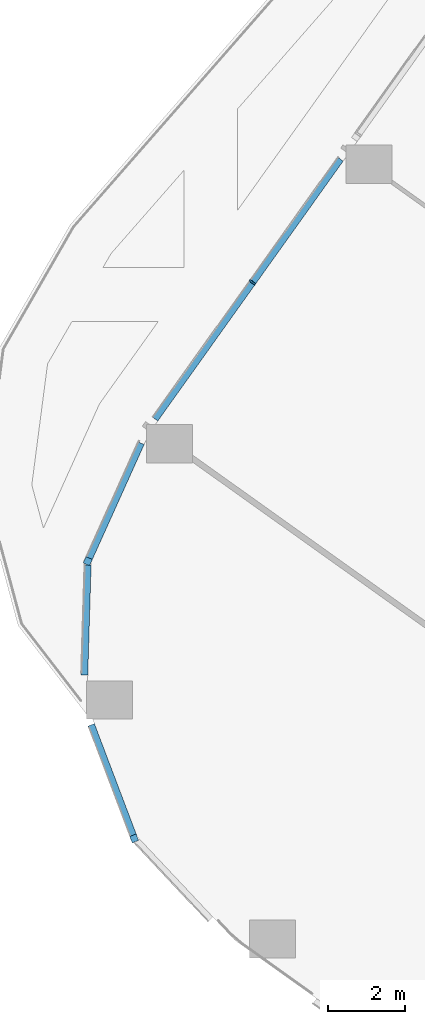
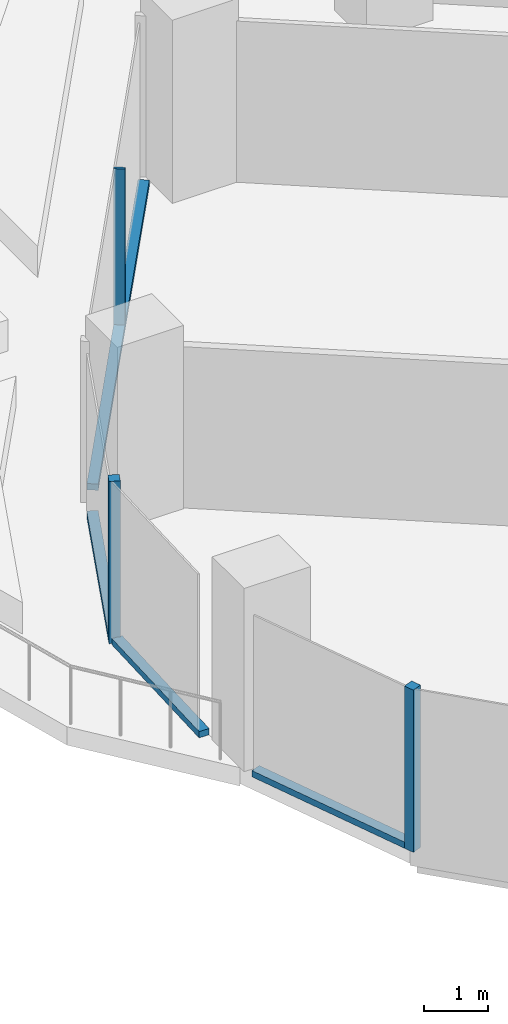
# One storey, part 3 of 30: 7 members, 4 elements without a shape of their own.
"""IFC4 building model written with IfcOpenShell, lengths in metres."""

from ifc_helpers import new_model, si_unit, direction, frame, origin, origin_2d, place, context, subcontext, project, spatial, rectangle, extrude, material, material_profile, profile_set, type_object, element, aggregate, save


model = new_model("IFC4")

# Units and contexts
model_context = context("Model", 3, precision=1e-05, world=origin(), true_north=direction((0.0, 1.0)))
body_context = subcontext(model_context, "Body", "Model", "MODEL_VIEW")
ifc_project = project(units=[si_unit("LENGTHUNIT", "METRE"), si_unit("AREAUNIT", "SQUARE_METRE"), si_unit("VOLUMEUNIT", "CUBIC_METRE"), si_unit("PLANEANGLEUNIT", "RADIAN"), si_unit("MASSUNIT", "GRAM", prefix="KILO")], contexts=[model_context])

# Site, building, storey
site_placement = place(None, origin())
site = spatial("IfcSite", under=ifc_project, at=site_placement, CompositionType="ELEMENT")
building_placement = place(site_placement, origin())
building = spatial("IfcBuilding", under=site, at=building_placement, Name="Orlundy Tower", CompositionType="ELEMENT")
storey_placement = place(building_placement, frame((0.0, 0.0, 80.699951171875)))
storey = spatial("IfcBuildingStorey", under=building, at=storey_placement, Name="L19", CompositionType="ELEMENT", Elevation=80.699951171875)

# Curtain wall, member
ifc_material_1 = material(Name="Aluminium bronze anodised", Category="aluminium")
curtain_wall_type = type_object("IfcCurtainWallType", Name="CW1 wall", PredefinedType="NOTDEFINED", material=ifc_material_1)
curtain_wall_1_placement = place(storey_placement, origin())
curtain_wall_1 = element("IfcCurtainWall", 1, at=curtain_wall_1_placement, inside=storey, type_object=curtain_wall_type, Name="CW1 run 025", PredefinedType="NOTDEFINED")
ifc_material_2 = material(Name="Aluminium bronze anodised", Category="aluminium")
ifc_material_profile_1 = material_profile(ifc_material_2, rectangle(XDim=0.179931640625, YDim=0.179931640625, at=origin_2d()), Name="CW1 corner post 180x180")
ifc_profile_set_1 = profile_set([ifc_material_profile_1], Name="Aluminium bronze anodised")
member_type_1 = type_object("IfcMemberType", Name="CW1 corner post 180x180", PredefinedType="MULLION", material=ifc_profile_set_1)
member_1_placement = place(storey_placement, frame((-46.298828125, -40.505615234375, 0.0), z_axis=(0.0, 0.0, 1.0), x_axis=(-0.935182458523, -0.354166301715, 0.0)))
member_1 = element("IfcMember", 2, at=member_1_placement, type_object=member_type_1, Name="CW1 mullion 66", PredefinedType="MULLION", context=body_context, shape_type="SweptSolid", body=[
    extrude(rectangle(XDim=0.179931640625, YDim=0.179931640625, at=origin_2d()), origin(), (0.0, 0.0, 1.0), 3.10009765625),
])

curtain_wall_2_placement = place(storey_placement, origin())
curtain_wall_2 = element("IfcCurtainWall", 3, at=curtain_wall_2_placement, inside=storey, type_object=curtain_wall_type, Name="CW1 run 027", PredefinedType="NOTDEFINED")
member_2_placement = place(storey_placement, frame((-47.510498046875, -33.264404296875, 0.0), z_axis=(0.0, 0.0, 1.0), x_axis=(-0.911673970719, 0.410914311157, 0.0)))
member_2 = element("IfcMember", 4, at=member_2_placement, type_object=member_type_1, Name="CW1 mullion 68", PredefinedType="MULLION", context=body_context, shape_type="SweptSolid", body=[
    extrude(rectangle(XDim=0.179931640625, YDim=0.179931640625, at=origin_2d()), origin(), (0.0, 0.0, 1.0), 3.10009765625),
])

# Curtain wall, members
curtain_wall_3_placement = place(storey_placement, origin())
curtain_wall_3 = element("IfcCurtainWall", 5, at=curtain_wall_3_placement, inside=storey, type_object=curtain_wall_type, Name="CW1 run 00", PredefinedType="NOTDEFINED")
ifc_material_3 = material(Name="Aluminium bronze anodised", Category="aluminium")
ifc_material_profile_2 = material_profile(ifc_material_3, rectangle(XDim=0.179931640625, YDim=0.050048828125, at=origin_2d()), Name="CW1 mullion 50x180")
ifc_profile_set_2 = profile_set([ifc_material_profile_2], Name="Aluminium bronze anodised")
member_type_2 = type_object("IfcMemberType", Name="CW1 mullion 50x180", PredefinedType="MULLION", material=ifc_profile_set_2)
member_3_placement = place(storey_placement, frame((-43.209716796875, -25.982177734375, 0.0), z_axis=(0.0, 0.0, 1.0), x_axis=(-0.814116921316, 0.580700988829, 0.0)))
member_3 = element("IfcMember", 6, at=member_3_placement, type_object=member_type_2, Name="CW1 mullion 2", PredefinedType="MULLION", context=body_context, shape_type="SweptSolid", body=[
    extrude(rectangle(XDim=0.179931640625, YDim=0.050048828125, at=origin_2d()), origin(), (0.0, 0.0, 1.0), 3.10009765625),
])
ifc_material_4 = material(Name="Aluminium bronze anodised", Category="aluminium")
ifc_material_profile_3 = material_profile(ifc_material_4, rectangle(XDim=0.179931640625, YDim=0.1201171875, at=origin_2d()), Name="CW1 transom 180x120")
ifc_profile_set_3 = profile_set([ifc_material_profile_3], Name="Aluminium bronze anodised")
member_type_3 = type_object("IfcMemberType", Name="CW1 transom 180x120", PredefinedType="USERDEFINED", material=ifc_profile_set_3)
member_4_placement = place(storey_placement, frame((-45.754638671875, -29.550048828125, 0.06005859375), z_axis=(0.580695047202, 0.814121159383, 0.0), x_axis=(-0.814121159383, 0.580695047202, 0.0)))
member_4 = element("IfcMember", 7, at=member_4_placement, type_object=member_type_3, Name="CW1 transom", ObjectType="TRANSOM", PredefinedType="USERDEFINED", context=body_context, shape_type="SweptSolid", body=[
    extrude(rectangle(XDim=0.179931640625, YDim=0.1201171875, at=origin_2d()), origin(), (0.0, 0.0, 1.0), 8.3359375),
])
aggregate(curtain_wall_3, [member_3, member_4])

# Member
member_5_placement = place(storey_placement, frame((-46.330810546875, -40.42138671875, 0.06005859375), z_axis=(-0.354161942738, 0.935184109315, 0.0), x_axis=(-0.935184109315, -0.354161942738, 0.0)))
member_5 = element("IfcMember", 8, at=member_5_placement, type_object=member_type_3, Name="CW1 transom", ObjectType="TRANSOM", PredefinedType="USERDEFINED", context=body_context, shape_type="SweptSolid", body=[
    extrude(rectangle(XDim=0.179931640625, YDim=0.1201171875, at=origin_2d()), origin(), (0.0, 0.0, 1.0), 3.080078125),
])

aggregate(curtain_wall_1, [member_1, member_5])

# Curtain wall, member
curtain_wall_4_placement = place(storey_placement, origin())
curtain_wall_4 = element("IfcCurtainWall", 9, at=curtain_wall_4_placement, inside=storey, type_object=curtain_wall_type, Name="CW1 run 026", PredefinedType="NOTDEFINED")
member_6_placement = place(storey_placement, frame((-47.601318359375, -36.240966796875, 0.06005859375), z_axis=(0.030512370061, 0.99953438924, 0.0), x_axis=(-0.99953438924, 0.030512370061, 0.0)))
member_6 = element("IfcMember", 10, at=member_6_placement, type_object=member_type_3, Name="CW1 transom", ObjectType="TRANSOM", PredefinedType="USERDEFINED", context=body_context, shape_type="SweptSolid", body=[
    extrude(rectangle(XDim=0.179931640625, YDim=0.1201171875, at=origin_2d()), origin(), (0.0, 0.0, 1.0), 2.88037109375),
])
aggregate(curtain_wall_4, [member_6])

# Member
member_7_placement = place(storey_placement, frame((-47.473388671875, -33.182373046875, 0.06005859375), z_axis=(0.4108611797, 0.911697916536, 0.0), x_axis=(-0.911697916536, 0.4108611797, 0.0)))
member_7 = element("IfcMember", 11, at=member_7_placement, type_object=member_type_3, Name="CW1 transom", ObjectType="TRANSOM", PredefinedType="USERDEFINED", context=body_context, shape_type="SweptSolid", body=[
    extrude(rectangle(XDim=0.179931640625, YDim=0.1201171875, at=origin_2d()), origin(), (0.0, 0.0, 1.0), 3.291259765625),
])

aggregate(curtain_wall_2, [member_2, member_7])

save(model, "model.ifc")
